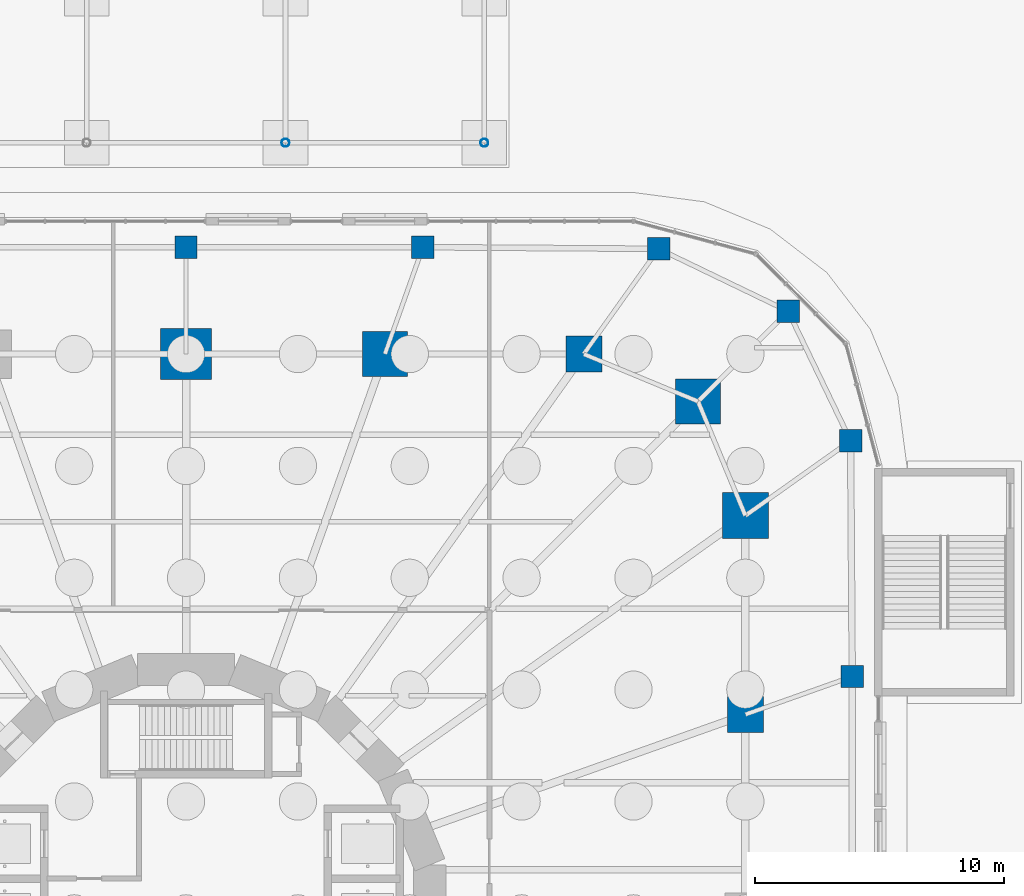
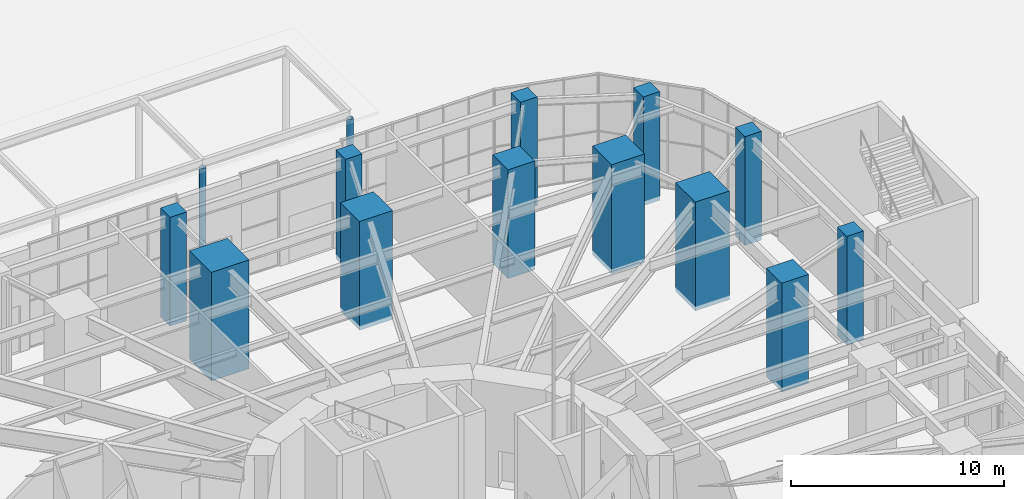
# One storey, part 3 of 43: 14 columns.
"""IFC4 building model written with IfcOpenShell, lengths in metres."""

from ifc_helpers import new_model, si_unit, direction, frame, origin, origin_2d, place, context, subcontext, project, spatial, rectangle, hollow_circle, extrude, material, material_profile, profile_set, type_object, element, save


model = new_model("IFC4")

# Units and contexts
model_context = context("Model", 3, precision=1e-05, world=origin(), true_north=direction((0.0, 1.0)))
body_context = subcontext(model_context, "Body", "Model", "MODEL_VIEW")
ifc_project = project(units=[si_unit("LENGTHUNIT", "METRE"), si_unit("AREAUNIT", "SQUARE_METRE"), si_unit("VOLUMEUNIT", "CUBIC_METRE"), si_unit("PLANEANGLEUNIT", "RADIAN"), si_unit("MASSUNIT", "GRAM", prefix="KILO")], contexts=[model_context])

# Site, building, storey
site_placement = place(None, origin())
site = spatial("IfcSite", under=ifc_project, at=site_placement, CompositionType="ELEMENT")
building_placement = place(site_placement, origin())
building = spatial("IfcBuilding", under=site, at=building_placement, Name="Nakasero Lantern House", CompositionType="ELEMENT")
storey_placement = place(building_placement, origin())
storey = spatial("IfcBuildingStorey", under=building, at=storey_placement, Name="L00", CompositionType="ELEMENT", Elevation=0.0)

# Columns
ifc_material_1 = material(Name="Steel S355", Category="steel")
ifc_material_profile_1 = material_profile(ifc_material_1, hollow_circle(Radius=0.161865234375, WallThickness=0.012451171875, at=origin_2d()), Name="CHS 323.9x12.5")
ifc_profile_set_1 = profile_set([ifc_material_profile_1], Name="Steel S355")
column_type_1 = type_object("IfcColumnType", Name="Canopy column CHS 323.9x12.5", PredefinedType="COLUMN", material=ifc_profile_set_1)
for number, where, z_axis, x_axis, name in (
    (1, (4.0, 31.0, -0.14990234375), (0.0, 0.0, 1.0), (1.0, 0.0, 0.0), "Canopy column 20"),
    (2, (12.0, 31.0, -0.14990234375), (0.0, 0.0, 1.0), (1.0, 0.0, 0.0), "Canopy column 30"),
):
    element("IfcColumn", number, at=place(storey_placement, frame(where, z_axis=z_axis, x_axis=x_axis)), inside=storey, type_object=column_type_1, Name=name, PredefinedType="COLUMN", context=body_context, shape_type="SweptSolid", body=[
        extrude(hollow_circle(Radius=0.161865234375, WallThickness=0.012451171875, at=origin_2d()), origin(), (0.0, 0.0, 1.0), 4.696533203125),
    ])
ifc_material_2 = material(Name="Concrete C50/60", Category="concrete")
ifc_material_profile_2 = material_profile(ifc_material_2, rectangle(XDim=1.800048828125, YDim=1.800048828125, at=origin_2d()), Name="RC 1800x1800")
ifc_profile_set_2 = profile_set([ifc_material_profile_2], Name="Concrete C50/60")
column_type_2 = type_object("IfcColumnType", Name="Mega column RC 1800x1800 C50/60", PredefinedType="COLUMN", material=ifc_profile_set_2)
column_1_placement = place(storey_placement, frame((20.59619140625, 20.59619140625, -0.25), z_axis=(0.0, 0.0, 1.0), x_axis=(1.0, 0.0, 0.0)))
element("IfcColumn", 3, at=column_1_placement, inside=storey, type_object=column_type_2, Name="Column B1-C06 L00", PredefinedType="COLUMN", context=body_context, shape_type="SweptSolid", body=[
    extrude(rectangle(XDim=1.800048828125, YDim=1.800048828125, at=origin_2d()), origin(), (0.0, 0.0, 1.0), 6.25),
])
ifc_material_3 = material(Name="Concrete C50/60", Category="concrete")
ifc_material_profile_3 = material_profile(ifc_material_3, rectangle(XDim=1.449951171875, YDim=1.449951171875, at=origin_2d()), Name="RC 1450x1450")
ifc_profile_set_3 = profile_set([ifc_material_profile_3], Name="Concrete C50/60")
column_type_3 = type_object("IfcColumnType", Name="Ring column RC 1450x1450 C50/60", PredefinedType="COLUMN", material=ifc_profile_set_3)
for number, where, z_axis, x_axis, name in (
    (4, (22.5, 8.0, -0.25), (0.0, 0.0, 1.0), (1.0, 0.0, 0.0), "Column B1-C04 L00"),
    (5, (16.0, 22.5, -0.25), (0.0, 0.0, 1.0), (1.0, 0.0, 0.0), "Column B1-C07 L00"),
):
    element("IfcColumn", number, at=place(storey_placement, frame(where, z_axis=z_axis, x_axis=x_axis)), inside=storey, type_object=column_type_3, Name=name, PredefinedType="COLUMN", context=body_context, shape_type="SweptSolid", body=[
        extrude(rectangle(XDim=1.449951171875, YDim=1.449951171875, at=origin_2d()), origin(), (0.0, 0.0, 1.0), 6.25),
    ])
ifc_material_4 = material(Name="Concrete C50/60", Category="concrete")
ifc_material_profile_4 = material_profile(ifc_material_4, rectangle(XDim=1.800048828125, YDim=1.800048828125, at=origin_2d()), Name="RC 1800x1800")
ifc_profile_set_4 = profile_set([ifc_material_profile_4], Name="Concrete C50/60")
column_type_4 = type_object("IfcColumnType", Name="Ring column RC 1800x1800 C50/60", PredefinedType="COLUMN", material=ifc_profile_set_4)
column_2_placement = place(storey_placement, frame((8.0, 22.5, -0.25), z_axis=(0.0, 0.0, 1.0), x_axis=(1.0, 0.0, 0.0)))
element("IfcColumn", 6, at=column_2_placement, inside=storey, type_object=column_type_4, Name="Column B1-C08 L00", PredefinedType="COLUMN", context=body_context, shape_type="SweptSolid", body=[
    extrude(rectangle(XDim=1.800048828125, YDim=1.800048828125, at=origin_2d()), origin(), (0.0, 0.0, 1.0), 6.25),
])
ifc_material_5 = material(Name="Concrete C50/60", Category="concrete")
ifc_material_profile_5 = material_profile(ifc_material_5, rectangle(XDim=1.85009765625, YDim=1.85009765625, at=origin_2d()), Name="RC 1850x1850")
ifc_profile_set_5 = profile_set([ifc_material_profile_5], Name="Concrete C50/60")
column_type_5 = type_object("IfcColumnType", Name="Ring column RC 1850x1850 C50/60", PredefinedType="COLUMN", material=ifc_profile_set_5)
column_3_placement = place(storey_placement, frame((22.5, 16.0, -0.25), z_axis=(0.0, 0.0, 1.0), x_axis=(1.0, 0.0, 0.0)))
element("IfcColumn", 7, at=column_3_placement, inside=storey, type_object=column_type_5, Name="Column B1-C05 L00", PredefinedType="COLUMN", context=body_context, shape_type="SweptSolid", body=[
    extrude(rectangle(XDim=1.85009765625, YDim=1.85009765625, at=origin_2d()), origin(), (0.0, 0.0, 1.0), 6.25),
])
ifc_material_6 = material(Name="Concrete C50/60", Category="concrete")
ifc_material_profile_6 = material_profile(ifc_material_6, rectangle(XDim=2.050048828125, YDim=2.050048828125, at=origin_2d()), Name="RC 2050x2050")
ifc_profile_set_6 = profile_set([ifc_material_profile_6], Name="Concrete C50/60")
column_type_6 = type_object("IfcColumnType", Name="Ring column RC 2050x2050 C50/60", PredefinedType="COLUMN", material=ifc_profile_set_6)
column_4_placement = place(storey_placement, frame((0.0, 22.5, -0.25), z_axis=(0.0, 0.0, 1.0), x_axis=(1.0, 0.0, 0.0)))
element("IfcColumn", 8, at=column_4_placement, inside=storey, type_object=column_type_6, Name="Column B1-C09 L00", PredefinedType="COLUMN", context=body_context, shape_type="SweptSolid", body=[
    extrude(rectangle(XDim=2.050048828125, YDim=2.050048828125, at=origin_2d()), origin(), (0.0, 0.0, 1.0), 6.25),
])
ifc_material_7 = material(Name="Concrete C50/60", Category="concrete")
ifc_material_profile_7 = material_profile(ifc_material_7, rectangle(XDim=0.89990234375, YDim=0.89990234375, at=origin_2d()), Name="RC 900x900")
ifc_profile_set_7 = profile_set([ifc_material_profile_7], Name="Concrete C50/60")
column_type_7 = type_object("IfcColumnType", Name="Ring column RC 900x900 C50/60", PredefinedType="COLUMN", material=ifc_profile_set_7)
for number, where, z_axis, x_axis, name in (
    (9, (26.800048828125, 9.52880859375, -0.25), (0.0, 0.0, 1.0), (1.0, 0.0, 0.0), "Column POD-C04 L00"),
    (10, (26.733642578125, 19.0107421875, -0.25), (0.0, 0.0, 1.0), (1.0, 0.0, 0.0), "Column POD-C05 L00"),
    (11, (24.22265625, 24.22265625, -0.25), (0.0, 0.0, 1.0), (1.0, 0.0, 0.0), "Column POD-C06 L00"),
    (12, (19.0107421875, 26.733642578125, -0.25), (0.0, 0.0, 1.0), (1.0, 0.0, 0.0), "Column POD-C07 L00"),
    (13, (9.52880859375, 26.800048828125, -0.25), (0.0, 0.0, 1.0), (1.0, 0.0, 0.0), "Column POD-C08 L00"),
    (14, (0.0, 26.800048828125, -0.25), (0.0, 0.0, 1.0), (1.0, 0.0, 0.0), "Column POD-C09 L00"),
):
    element("IfcColumn", number, at=place(storey_placement, frame(where, z_axis=z_axis, x_axis=x_axis)), inside=storey, type_object=column_type_7, Name=name, PredefinedType="COLUMN", context=body_context, shape_type="SweptSolid", body=[
        extrude(rectangle(XDim=0.89990234375, YDim=0.89990234375, at=origin_2d()), origin(), (0.0, 0.0, 1.0), 6.25),
    ])

save(model, "model.ifc")
